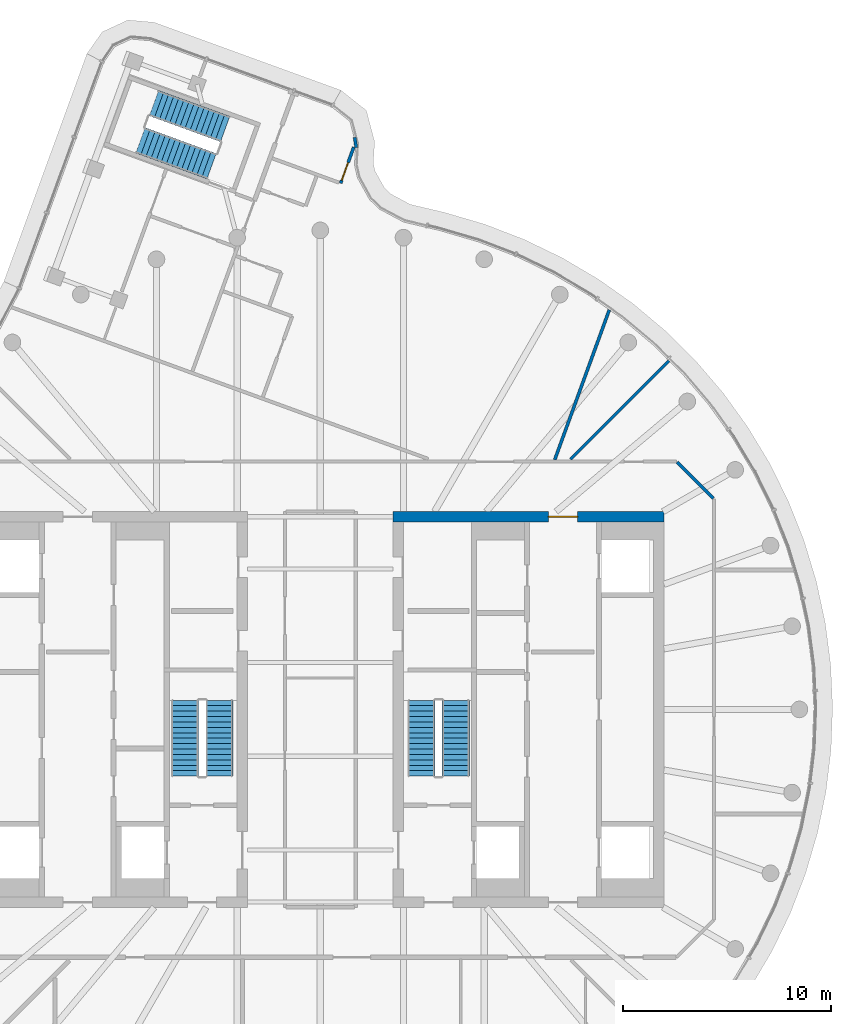
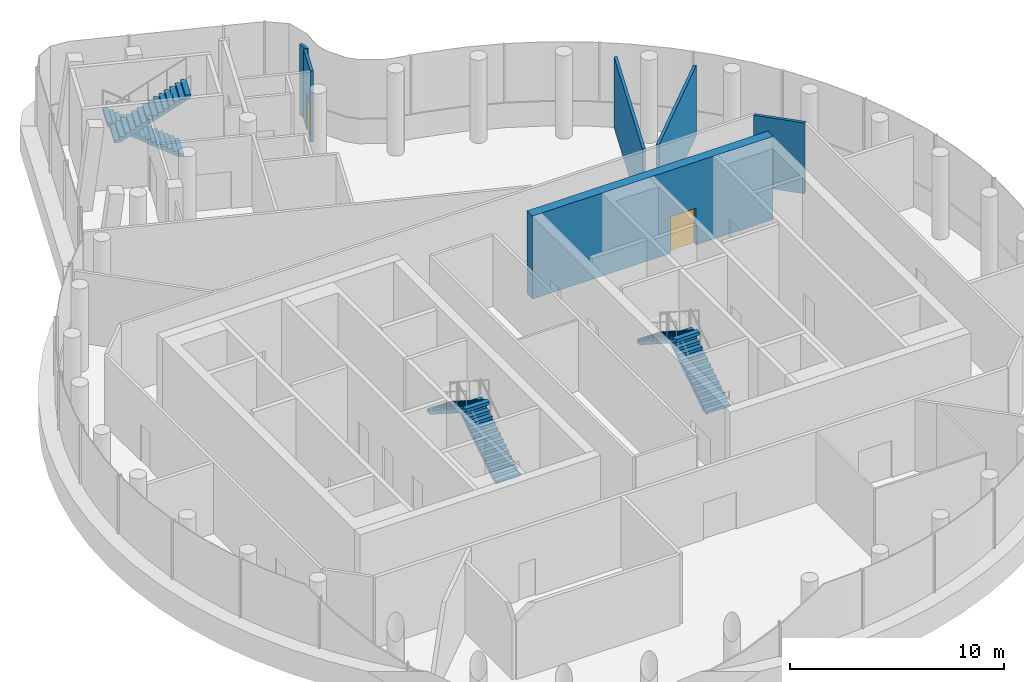
# One storey, part 11 of 12: 6 stair flights, 6 walls, 2 doors, 2 openings, 3 elements without a shape of their own.
"""IFC4 building model written with IfcOpenShell, lengths in metres."""

import ifcopenshell
import ifcopenshell.guid

model = None  # the IFC model being written
_history = None  # IfcOwnerHistory: only IFC2X3 demands one
_inside = {}  # id of a spatial element -> (the spatial element, [elements in it])
_under = {}  # id of a project, library or spatial element -> (it, [spatial elements below it])
_declared = {}  # id of a project -> (the project, [libraries it declares])
_typed = {}  # id of a type object -> (the type object, [elements of that type])
_made_of = {}  # id of a material, layer set ... -> (it, [elements and type objects made of it])


def new_model(schema):
    """Start an empty IFC model of exactly this schema.

    Asked for "IFC4X3", IfcOpenShell would pick the latest addendum, in which some entities
    have other attributes; the version numbers below select the first issue.
    IFC2X3 requires an IfcOwnerHistory on every rooted entity: one is made here for all.
    """
    global model, _history
    if schema == "IFC4X3":
        model = ifcopenshell.file(schema_version=(4, 3, 0, 0))
    else:
        model = ifcopenshell.file(schema=schema)
    _inside.clear()
    _under.clear()
    _declared.clear()
    _typed.clear()
    _made_of.clear()
    _history = None
    if model.schema == "IFC2X3":
        org = make("IfcOrganization", Name="unknown")
        user = make(
            "IfcPersonAndOrganization",
            ThePerson=make("IfcPerson", FamilyName="unknown"),
            TheOrganization=org,
        )
        app = make(
            "IfcApplication",
            ApplicationDeveloper=org,
            Version="unknown",
            ApplicationFullName="unknown",
            ApplicationIdentifier="unknown",
        )
        _history = make(
            "IfcOwnerHistory",
            OwningUser=user,
            OwningApplication=app,
            ChangeAction="ADDED",
            CreationDate=0,
        )
    return model


def make(cls, **values):
    """One entity of the class cls with the attributes given. An attribute that is None is left unset."""
    return model.create_entity(
        cls, **{name: value for name, value in values.items() if value is not None}
    )


def rooted(cls, **values):
    """An entity with a GlobalId (a new one), such as an element, a storey or a relation."""
    return make(cls, GlobalId=ifcopenshell.guid.new(), OwnerHistory=_history, **values)


def si_unit(unit_type, name, prefix=None):
    """IfcSIUnit, for example si_unit("LENGTHUNIT", "METRE", prefix="MILLI")."""
    return make("IfcSIUnit", UnitType=unit_type, Prefix=prefix, Name=name)


def assignment(units):
    """IfcUnitAssignment: the units of a project."""
    return None if units is None else make("IfcUnitAssignment", Units=units)


def point(xyz):
    """IfcCartesianPoint."""
    return None if xyz is None else make("IfcCartesianPoint", Coordinates=xyz)


def direction(xyz):
    """IfcDirection."""
    return None if xyz is None else make("IfcDirection", DirectionRatios=xyz)


def frame(location, z_axis=None, x_axis=None):
    """IfcAxis2Placement3D, a coordinate frame: its origin and axes. An axis left out is left unset."""
    return make(
        "IfcAxis2Placement3D",
        Location=point(location),
        Axis=direction(z_axis),
        RefDirection=direction(x_axis),
    )


def frame_2d(location, x_axis=None):
    """IfcAxis2Placement2D, a coordinate frame in the plane: its origin and x axis."""
    return make(
        "IfcAxis2Placement2D", Location=point(location), RefDirection=direction(x_axis)
    )


def origin():
    """The frame at (0, 0, 0) with its axes left unset."""
    return frame((0.0, 0.0, 0.0))


def place(relative_to, where):
    """IfcLocalPlacement: puts the frame where relative to a parent placement (None: the world)."""
    return make(
        "IfcLocalPlacement", PlacementRelTo=relative_to, RelativePlacement=where
    )


def context(
    kind, dimensions, precision=None, world=None, true_north=None, identifier=None
):
    """IfcGeometricRepresentationContext, for example the 3D "Model" context."""
    return make(
        "IfcGeometricRepresentationContext",
        ContextIdentifier=identifier,
        ContextType=kind,
        CoordinateSpaceDimension=dimensions,
        Precision=precision,
        WorldCoordinateSystem=world,
        TrueNorth=true_north,
    )


def subcontext(parent, identifier, kind, view, scale=None):
    """IfcGeometricRepresentationSubContext, for example "Body" below "Model"."""
    return make(
        "IfcGeometricRepresentationSubContext",
        ContextIdentifier=identifier,
        ContextType=kind,
        ParentContext=parent,
        TargetScale=scale,
        TargetView=view,
    )


def project(units=None, contexts=None):
    """IfcProject with its units and contexts."""
    return rooted(
        "IfcProject",
        Name="project",
        RepresentationContexts=contexts,
        UnitsInContext=assignment(units),
    )


def spatial(cls, under=None, at=None, **own):
    """A site, building, storey or space (cls), placed at a placement, below another one or the project."""
    s = rooted(cls, ObjectPlacement=at, **own)
    if under is not None:
        _under.setdefault(under.id(), (under, []))[1].append(s)
    return s


def polyline(points):
    """IfcPolyline through the points."""
    return make("IfcPolyline", Points=[point(p) for p in points])


def profile(cls, at=None, kind="AREA", **sizes):
    """A parametric profile (cls). Its sizes go by their IFC names, for example OverallWidth=200.0."""
    return make(cls, ProfileType=kind, Position=at, **sizes)


def rectangle(**sizes):
    """IfcRectangleProfileDef."""
    return profile("IfcRectangleProfileDef", **sizes)


def outline(outer, holes=None, kind="AREA"):
    """IfcArbitraryClosedProfileDef: a profile drawn as a closed curve; with holes, ...WithVoids."""
    if holes is None:
        return make("IfcArbitraryClosedProfileDef", ProfileType=kind, OuterCurve=outer)
    return make(
        "IfcArbitraryProfileDefWithVoids",
        ProfileType=kind,
        OuterCurve=outer,
        InnerCurves=holes,
    )


def extrude(swept, where, along, depth):
    """IfcExtrudedAreaSolid: the profile swept, set in the frame where, extruded along a direction by depth."""
    return make(
        "IfcExtrudedAreaSolid",
        SweptArea=swept,
        Position=where,
        ExtrudedDirection=direction(along),
        Depth=depth,
    )


def shape(context_of_items, identifier, shape_type, items):
    """IfcShapeRepresentation: the items that make up one representation, for example the "Body"."""
    return make(
        "IfcShapeRepresentation",
        ContextOfItems=context_of_items,
        RepresentationIdentifier=identifier,
        RepresentationType=shape_type,
        Items=items,
    )


def material(Name=None, Category=None):
    """IfcMaterial."""
    return make("IfcMaterial", Name=Name, Category=Category)


def layer(
    of_material, thickness, ventilated=None, Name=None, Category=None, Priority=None
):
    """IfcMaterialLayer: one layer of a wall or slab, of a material (None: an air gap)."""
    return make(
        "IfcMaterialLayer",
        Material=of_material,
        LayerThickness=thickness,
        IsVentilated=ventilated,
        Name=Name,
        Category=Category,
        Priority=Priority,
    )


def layer_set(layers, Name=None):
    """IfcMaterialLayerSet."""
    return make("IfcMaterialLayerSet", MaterialLayers=layers, LayerSetName=Name)


def made_of(thing, what):
    """Note that an element or type object is made of a material, layer set ...; save() writes the relation."""
    if what is not None:
        _made_of.setdefault(what.id(), (what, []))[1].append(thing)
    return thing


def type_object(cls, material=None, **own):
    """A type object (cls), such as IfcWallType, which elements share."""
    return made_of(rooted(cls, **own), material)


def element(
    cls,
    number,
    at=None,
    inside=None,
    cuts=None,
    type_object=None,
    material=None,
    context=None,
    identifier="Body",
    shape_type=None,
    held_by="IfcProductDefinitionShape",
    body=None,
    shapes=None,
    **own,
):
    """One element of the class cls, such as IfcWall. Its Tag is "e" and its number.

    at: its placement. inside: the storey or other place that contains it. cuts: it is an
    opening in that element (IfcRelVoidsElement). A single representation is given by context,
    identifier, shape_type and body (its items); several are given by shapes. held_by: the class
    of the entity that holds the representations. save() writes the other relations.
    """
    e = rooted(cls, Tag="e%d" % number, ObjectPlacement=at, **own)
    if body is not None:
        shapes = [shape(context, identifier, shape_type, body)]
    if shapes is not None:
        e.Representation = make(held_by, Representations=shapes)
    if inside is not None:
        _inside.setdefault(inside.id(), (inside, []))[1].append(e)
    if cuts is not None:
        rooted(
            "IfcRelVoidsElement", RelatingBuildingElement=cuts, RelatedOpeningElement=e
        )
    if type_object is not None:
        _typed.setdefault(type_object.id(), (type_object, []))[1].append(e)
    return made_of(e, material)


def fill(opening, filler):
    """IfcRelFillsElement: the door or window that sits in an opening."""
    return rooted(
        "IfcRelFillsElement",
        RelatingOpeningElement=opening,
        RelatedBuildingElement=filler,
    )


def aggregate(whole, parts):
    """IfcRelAggregates: a whole, such as a stair, and the parts it consists of."""
    return rooted("IfcRelAggregates", RelatingObject=whole, RelatedObjects=parts)


def save(model, path):
    """Write the relations noted so far, then the file.

    IfcRelAggregates (storeys below a building ...), IfcRelContainedInSpatialStructure (elements
    in a storey), IfcRelDefinesByType, IfcRelAssociatesMaterial and IfcRelDeclares: one each for
    every whole, place, type object, material and project.
    """
    for whole, parts in _under.values():
        aggregate(whole, parts)
    for where, things in _inside.values():
        rooted(
            "IfcRelContainedInSpatialStructure",
            RelatedElements=things,
            RelatingStructure=where,
        )
    for kind, things in _typed.values():
        rooted("IfcRelDefinesByType", RelatedObjects=things, RelatingType=kind)
    for what, things in _made_of.values():
        rooted("IfcRelAssociatesMaterial", RelatedObjects=things, RelatingMaterial=what)
    for by, libraries in _declared.values():
        rooted("IfcRelDeclares", RelatingContext=by, RelatedDefinitions=libraries)
    model.write(path)


model = new_model("IFC4")

# Units and contexts
model_context = context("Model", 3, precision=1e-05, world=origin(), true_north=direction((0.0, 1.0)))
body_context = subcontext(model_context, "Body", "Model", "MODEL_VIEW")
ifc_project = project(units=[si_unit("LENGTHUNIT", "METRE"), si_unit("AREAUNIT", "SQUARE_METRE"), si_unit("VOLUMEUNIT", "CUBIC_METRE"), si_unit("PLANEANGLEUNIT", "RADIAN"), si_unit("MASSUNIT", "GRAM", prefix="KILO")], contexts=[model_context])

# Site, building, storey
site_placement = place(None, origin())
site = spatial("IfcSite", under=ifc_project, at=site_placement, CompositionType="ELEMENT")
building_placement = place(site_placement, origin())
building = spatial("IfcBuilding", under=site, at=building_placement, Name="Tamarind Cross Interchange Tower", CompositionType="ELEMENT")
storey_placement = place(building_placement, frame((0.0, 0.0, 294.39990234375)))
storey = spatial("IfcBuildingStorey", under=building, at=storey_placement, Name="L73", CompositionType="ELEMENT", Elevation=294.39990234375)

# Wall, opening, door
ifc_material_1 = material(Name="Concrete C50", Category="concrete")
ifc_layer_1 = layer(ifc_material_1, 0.5)
ifc_layer_set_1 = layer_set([ifc_layer_1], Name="Concrete C50")
wall_type_1 = type_object("IfcWallType", Name="Core wall 500 mm Concrete C50", PredefinedType="SHEAR", material=ifc_layer_set_1)
wall_1_placement = place(storey_placement, frame((16.5, 9.25, 0.0), z_axis=(0.0, 0.0, 1.0), x_axis=(-1.0, 0.0, 0.0)))
wall_1 = element("IfcWall", 1, at=wall_1_placement, inside=storey, type_object=wall_type_1, Name="Core wall CWL-L73-E-N", PredefinedType="SHEAR", context=body_context, shape_type="SweptSolid", body=[
    extrude(rectangle(XDim=13.0, YDim=0.5, at=frame_2d((6.5, 0.0))), origin(), (0.0, 0.0, 1.0), 4.75),
])
opening_1_placement = place(wall_1_placement, frame((4.14990234375, 0.0, 0.0)))
opening_1 = element("IfcOpeningElement", 2, at=opening_1_placement, cuts=wall_1, Name="Opening DCE3", PredefinedType="OPENING", context=body_context, shape_type="SweptSolid", body=[
    extrude(rectangle(XDim=1.39990234375, YDim=2.10009765625, at=frame_2d((0.699951171875, 1.050048828125))), frame((0.0, 0.260009765625, 0.0), z_axis=(0.0, -1.0, 0.0), x_axis=(1.0, 0.0, 0.0)), (0.0, 0.0, 1.0), 0.52001953125),
])
ifc_material_2 = material(Name="Steel, fire-resisting", Category="steel")
door_type_1 = type_object("IfcDoorType", Name="Core fire door 1400 x 2100 FD90", OperationType="SINGLE_SWING_LEFT", PredefinedType="DOOR", material=ifc_material_2)
door_1_placement = place(opening_1_placement, origin())
door_1 = element("IfcDoor", 3, at=door_1_placement, inside=storey, type_object=door_type_1, Name="L73 observation lobby door", OperationType="SINGLE_SWING_LEFT", OverallHeight=2.10009765625, OverallWidth=1.39990234375, PredefinedType="DOOR", context=body_context, shape_type="SweptSolid", body=[
    extrude(rectangle(XDim=1.39990234375, YDim=2.10009765625, at=frame_2d((0.699951171875, 1.050048828125))), frame((0.0, 0.02490234375, 0.0), z_axis=(0.0, -1.0, 0.0), x_axis=(1.0, 0.0, 0.0)), (0.0, 0.0, 1.0), 0.050048828125),
])
fill(opening_1, door_1)

# Walls
ifc_material_3 = material(Name="Gypsum board partition on steel studs", Category="steel")
ifc_layer_2 = layer(ifc_material_3, 0.14990234375)
ifc_layer_set_2 = layer_set([ifc_layer_2], Name="Gypsum board partition on steel studs")
wall_type_2 = type_object("IfcWallType", Name="Partition 150 mm EI 120", PredefinedType="PARTITIONING", material=ifc_layer_set_2)
wall_2_placement = place(storey_placement, frame((17.12841796875, 11.87158203125, 0.0), z_axis=(0.0, 0.0, 1.0), x_axis=(0.707106781187, -0.707106781187, 0.0)))
element("IfcWall", 4, at=wall_2_placement, inside=storey, type_object=wall_type_2, Name="Partition L73-004", PredefinedType="PARTITIONING", context=body_context, shape_type="SweptSolid", body=[
    extrude(rectangle(XDim=2.465087890625, YDim=0.14990234375, at=frame_2d((1.232421875, 0.0))), origin(), (0.0, 0.0, 1.0), 4.050048828125),
])
wall_3_placement = place(storey_placement, frame((12.009521484375, 12.009521484375, 0.0), z_axis=(0.0, 0.0, 1.0), x_axis=(0.707106781187, 0.707106781187, 0.0)))
element("IfcWall", 5, at=wall_3_placement, inside=storey, type_object=wall_type_2, Name="Partition L73-025", PredefinedType="PARTITIONING", context=body_context, shape_type="SweptSolid", body=[
    extrude(rectangle(XDim=6.690673828125, YDim=0.14990234375, at=frame_2d((3.34521484375, 0.0))), origin(), (0.0, 0.0, 1.0), 4.050048828125),
])

# Wall, opening, door
wall_4_placement = place(storey_placement, frame((0.974609375, 25.26318359375, 0.0), z_axis=(0.0, 0.0, 1.0), x_axis=(0.341881428649, 0.939743097205, 0.0)))
wall_4 = element("IfcWall", 6, at=wall_4_placement, inside=storey, type_object=wall_type_2, Name="Partition L73-033", PredefinedType="PARTITIONING", context=body_context, shape_type="SweptSolid", body=[
    extrude(rectangle(XDim=1.841796875, YDim=0.14990234375, at=frame_2d((0.9208984375, 0.0))), origin(), (0.0, 0.0, 1.0), 4.050048828125),
])
opening_2_placement = place(wall_4_placement, frame((0.14990234375, 0.0, 0.0)))
opening_2 = element("IfcOpeningElement", 7, at=opening_2_placement, cuts=wall_4, Name="Opening D15", PredefinedType="OPENING", context=body_context, shape_type="SweptSolid", body=[
    extrude(rectangle(XDim=0.89990234375, YDim=2.10009765625, at=frame_2d((0.449951171875, 1.050048828125))), frame((0.0, 0.0849609375, 0.0), z_axis=(0.0, -1.0, 0.0), x_axis=(1.0, 0.0, 0.0)), (0.0, 0.0, 1.0), 0.169921875),
])
ifc_material_4 = material(Name="Fire-resisting door set")
door_type_2 = type_object("IfcDoorType", Name="Interior door 900 x 2100 FD60S", OperationType="SINGLE_SWING_LEFT", PredefinedType="DOOR", material=ifc_material_4)
door_2_placement = place(opening_2_placement, origin())
door_2 = element("IfcDoor", 8, at=door_2_placement, inside=storey, type_object=door_type_2, Name="Door D15", OperationType="SINGLE_SWING_RIGHT", OverallHeight=2.10009765625, OverallWidth=0.89990234375, PredefinedType="DOOR", context=body_context, shape_type="SweptSolid", body=[
    extrude(rectangle(XDim=0.89990234375, YDim=2.10009765625, at=frame_2d((0.449951171875, 1.050048828125))), frame((0.0, 0.02490234375, 0.0), z_axis=(0.0, -1.0, 0.0), x_axis=(1.0, 0.0, 0.0)), (0.0, 0.0, 1.0), 0.050048828125),
])
fill(opening_2, door_2)

# Walls
wall_5_placement = place(storey_placement, frame((11.25390625, 11.984619140625, 0.0), z_axis=(0.0, 0.0, 1.0), x_axis=(0.341891443356, 0.939739453764, 0.0)))
element("IfcWall", 9, at=wall_5_placement, inside=storey, type_object=wall_type_2, Name="Partition L73-036", PredefinedType="PARTITIONING", context=body_context, shape_type="SweptSolid", body=[
    extrude(rectangle(XDim=7.662109375, YDim=0.14990234375, at=frame_2d((3.8310546875, 0.0))), origin(), (0.0, 0.0, 1.0), 4.050048828125),
])
wall_6_placement = place(storey_placement, frame((1.72509765625, 26.972412109375, 0.0), z_axis=(0.0, 0.0, 1.0), x_axis=(-0.155285488936, 0.987869635593, 0.0)))
element("IfcWall", 10, at=wall_6_placement, inside=storey, type_object=wall_type_2, Name="Partition L73-045", PredefinedType="PARTITIONING", context=body_context, shape_type="SweptSolid", body=[
    extrude(rectangle(XDim=0.5, YDim=0.14990234375, at=frame_2d((0.25, 0.0))), origin(), (0.0, 0.0, 1.0), 4.050048828125),
])

# Stair, stair flights
ifc_material_5 = material(Name="Exit stair")
stair_type = type_object("IfcStairType", Name="Exit stair", PredefinedType="HALF_TURN_STAIR", material=ifc_material_5)
stair_1_placement = place(storey_placement, origin())
stair_1 = element("IfcStair", 11, at=stair_1_placement, inside=storey, type_object=stair_type, Name="L73 exit stair ST1", PredefinedType="HALF_TURN_STAIR")
ifc_material_6 = material(Name="Exit stair flight")
stair_flight_type = type_object("IfcStairFlightType", Name="Exit stair flight", PredefinedType="STRAIGHT", material=ifc_material_6)
stair_flight_1_placement = place(storey_placement, frame((-4.85009765625, -3.199951171875, 0.0), z_axis=(0.0, 0.0, 1.0), x_axis=(0.0, 1.0, 0.0)))
stair_flight_1 = element("IfcStairFlight", 12, at=stair_flight_1_placement, type_object=stair_flight_type, Name="ST1 flight 1", NumberOfRisers=15, NumberOfTreads=14, PredefinedType="STRAIGHT", RiserHeight=0.166666667, TreadLength=0.26, context=body_context, shape_type="SweptSolid", body=[
    extrude(outline(polyline([(0.0, 0.0), (0.0, 0.166748046875), (0.260009765625, 0.166748046875), (0.260009765625, 0.333251953125), (0.52001953125, 0.333251953125), (0.52001953125, 0.5), (0.780029296875, 0.5), (0.780029296875, 0.666748046875), (1.0400390625, 0.666748046875), (1.0400390625, 0.833251953125), (1.300048828125, 0.833251953125), (1.300048828125, 1.0), (1.56005859375, 1.0), (1.56005859375, 1.166748046875), (1.820068359375, 1.166748046875), (1.820068359375, 1.333251953125), (2.080078125, 1.333251953125), (2.080078125, 1.5), (2.340087890625, 1.5), (2.340087890625, 1.666748046875), (2.60009765625, 1.666748046875), (2.60009765625, 1.833251953125), (2.860107421875, 1.833251953125), (2.860107421875, 2.0), (3.1201171875, 2.0), (3.1201171875, 2.166748046875), (3.3798828125, 2.166748046875), (3.3798828125, 2.333251953125), (3.639892578125, 2.333251953125), (3.639892578125, 2.5), (3.639892578125, 2.1552734375), (0.27783203125, 0.0), (0.0, 0.0)])), frame((0.0, 0.64990234375, 0.0), z_axis=(0.0, -1.0, 0.0), x_axis=(1.0, 0.0, 0.0)), (0.0, 0.0, 1.0), 1.300048828125),
])
stair_flight_2_placement = place(storey_placement, frame((-6.5, 0.43994140625, 2.5), z_axis=(0.0, 0.0, 1.0), x_axis=(0.0, -1.0, 0.0)))
stair_flight_2 = element("IfcStairFlight", 13, at=stair_flight_2_placement, type_object=stair_flight_type, Name="ST1 flight 2", NumberOfRisers=15, NumberOfTreads=14, PredefinedType="STRAIGHT", RiserHeight=0.166666667, TreadLength=0.26, context=body_context, shape_type="SweptSolid", body=[
    extrude(outline(polyline([(0.0, 0.0), (0.0, 0.166748046875), (0.260009765625, 0.166748046875), (0.260009765625, 0.333251953125), (0.52001953125, 0.333251953125), (0.52001953125, 0.5), (0.780029296875, 0.5), (0.780029296875, 0.666748046875), (1.0400390625, 0.666748046875), (1.0400390625, 0.833251953125), (1.300048828125, 0.833251953125), (1.300048828125, 1.0), (1.56005859375, 1.0), (1.56005859375, 1.166748046875), (1.820068359375, 1.166748046875), (1.820068359375, 1.333251953125), (2.080078125, 1.333251953125), (2.080078125, 1.5), (2.340087890625, 1.5), (2.340087890625, 1.666748046875), (2.60009765625, 1.666748046875), (2.60009765625, 1.833251953125), (2.860107421875, 1.833251953125), (2.860107421875, 2.0), (3.1201171875, 2.0), (3.1201171875, 2.166748046875), (3.3798828125, 2.166748046875), (3.3798828125, 2.333251953125), (3.639892578125, 2.333251953125), (3.639892578125, 2.5), (3.639892578125, 2.1552734375), (0.27783203125, 0.0), (0.0, 0.0)])), frame((0.0, 0.64990234375, 0.0), z_axis=(0.0, -1.0, 0.0), x_axis=(1.0, 0.0, 0.0)), (0.0, 0.0, 1.0), 1.300048828125),
])
aggregate(stair_1, [stair_flight_1, stair_flight_2])

stair_2_placement = place(storey_placement, origin())
stair_2 = element("IfcStair", 14, at=stair_2_placement, inside=storey, type_object=stair_type, Name="L73 exit stair ST2", PredefinedType="HALF_TURN_STAIR")
stair_flight_3_placement = place(storey_placement, frame((6.5, -3.199951171875, 0.0), z_axis=(0.0, 0.0, 1.0), x_axis=(0.0, 1.0, 0.0)))
stair_flight_3 = element("IfcStairFlight", 15, at=stair_flight_3_placement, type_object=stair_flight_type, Name="ST2 flight 1", NumberOfRisers=15, NumberOfTreads=14, PredefinedType="STRAIGHT", RiserHeight=0.166666667, TreadLength=0.26, context=body_context, shape_type="SweptSolid", body=[
    extrude(outline(polyline([(0.0, 0.0), (0.0, 0.166748046875), (0.260009765625, 0.166748046875), (0.260009765625, 0.333251953125), (0.52001953125, 0.333251953125), (0.52001953125, 0.5), (0.780029296875, 0.5), (0.780029296875, 0.666748046875), (1.0400390625, 0.666748046875), (1.0400390625, 0.833251953125), (1.300048828125, 0.833251953125), (1.300048828125, 1.0), (1.56005859375, 1.0), (1.56005859375, 1.166748046875), (1.820068359375, 1.166748046875), (1.820068359375, 1.333251953125), (2.080078125, 1.333251953125), (2.080078125, 1.5), (2.340087890625, 1.5), (2.340087890625, 1.666748046875), (2.60009765625, 1.666748046875), (2.60009765625, 1.833251953125), (2.860107421875, 1.833251953125), (2.860107421875, 2.0), (3.1201171875, 2.0), (3.1201171875, 2.166748046875), (3.3798828125, 2.166748046875), (3.3798828125, 2.333251953125), (3.639892578125, 2.333251953125), (3.639892578125, 2.5), (3.639892578125, 2.1552734375), (0.27783203125, 0.0), (0.0, 0.0)])), frame((0.0, 0.64990234375, 0.0), z_axis=(0.0, -1.0, 0.0), x_axis=(1.0, 0.0, 0.0)), (0.0, 0.0, 1.0), 1.300048828125),
])
stair_flight_4_placement = place(storey_placement, frame((4.85009765625, 0.43994140625, 2.5), z_axis=(0.0, 0.0, 1.0), x_axis=(0.0, -1.0, 0.0)))
stair_flight_4 = element("IfcStairFlight", 16, at=stair_flight_4_placement, type_object=stair_flight_type, Name="ST2 flight 2", NumberOfRisers=15, NumberOfTreads=14, PredefinedType="STRAIGHT", RiserHeight=0.166666667, TreadLength=0.26, context=body_context, shape_type="SweptSolid", body=[
    extrude(outline(polyline([(0.0, 0.0), (0.0, 0.166748046875), (0.260009765625, 0.166748046875), (0.260009765625, 0.333251953125), (0.52001953125, 0.333251953125), (0.52001953125, 0.5), (0.780029296875, 0.5), (0.780029296875, 0.666748046875), (1.0400390625, 0.666748046875), (1.0400390625, 0.833251953125), (1.300048828125, 0.833251953125), (1.300048828125, 1.0), (1.56005859375, 1.0), (1.56005859375, 1.166748046875), (1.820068359375, 1.166748046875), (1.820068359375, 1.333251953125), (2.080078125, 1.333251953125), (2.080078125, 1.5), (2.340087890625, 1.5), (2.340087890625, 1.666748046875), (2.60009765625, 1.666748046875), (2.60009765625, 1.833251953125), (2.860107421875, 1.833251953125), (2.860107421875, 2.0), (3.1201171875, 2.0), (3.1201171875, 2.166748046875), (3.3798828125, 2.166748046875), (3.3798828125, 2.333251953125), (3.639892578125, 2.333251953125), (3.639892578125, 2.5), (3.639892578125, 2.1552734375), (0.27783203125, 0.0), (0.0, 0.0)])), frame((0.0, 0.64990234375, 0.0), z_axis=(0.0, -1.0, 0.0), x_axis=(1.0, 0.0, 0.0)), (0.0, 0.0, 1.0), 1.300048828125),
])
aggregate(stair_2, [stair_flight_3, stair_flight_4])

stair_3_placement = place(storey_placement, origin())
stair_3 = element("IfcStair", 17, at=stair_3_placement, inside=storey, type_object=stair_type, Name="L73 exit stair ST4", PredefinedType="HALF_TURN_STAIR")
stair_flight_5_placement = place(storey_placement, frame((-4.5693359375, 27.866455078125, 0.0), z_axis=(0.0, 0.0, 1.0), x_axis=(-0.939702171424, 0.341993902024, 0.0)))
stair_flight_5 = element("IfcStairFlight", 18, at=stair_flight_5_placement, type_object=stair_flight_type, Name="ST4 flight 1", NumberOfRisers=15, NumberOfTreads=14, PredefinedType="STRAIGHT", RiserHeight=0.166666667, TreadLength=0.26, context=body_context, shape_type="SweptSolid", body=[
    extrude(outline(polyline([(0.0, 0.0), (0.0, 0.166748046875), (0.260009765625, 0.166748046875), (0.260009765625, 0.333251953125), (0.52001953125, 0.333251953125), (0.52001953125, 0.5), (0.780029296875, 0.5), (0.780029296875, 0.666748046875), (1.0400390625, 0.666748046875), (1.0400390625, 0.833251953125), (1.300048828125, 0.833251953125), (1.300048828125, 1.0), (1.56005859375, 1.0), (1.56005859375, 1.166748046875), (1.820068359375, 1.166748046875), (1.820068359375, 1.333251953125), (2.080078125, 1.333251953125), (2.080078125, 1.5), (2.340087890625, 1.5), (2.340087890625, 1.666748046875), (2.60009765625, 1.666748046875), (2.60009765625, 1.833251953125), (2.860107421875, 1.833251953125), (2.860107421875, 2.0), (3.1201171875, 2.0), (3.1201171875, 2.166748046875), (3.3798828125, 2.166748046875), (3.3798828125, 2.333251953125), (3.639892578125, 2.333251953125), (3.639892578125, 2.5), (3.639892578125, 2.1552734375), (0.27783203125, 0.0), (0.0, 0.0)])), frame((0.0, 0.64990234375, 0.0), z_axis=(0.0, -1.0, 0.0), x_axis=(1.0, 0.0, 0.0)), (0.0, 0.0, 1.0), 1.300048828125),
])
stair_flight_6_placement = place(storey_placement, frame((-8.6396484375, 27.325927734375, 2.5), z_axis=(0.0, 0.0, 1.0), x_axis=(0.939702171424, -0.341993902024, 0.0)))
stair_flight_6 = element("IfcStairFlight", 19, at=stair_flight_6_placement, type_object=stair_flight_type, Name="ST4 flight 2", NumberOfRisers=15, NumberOfTreads=14, PredefinedType="STRAIGHT", RiserHeight=0.166666667, TreadLength=0.26, context=body_context, shape_type="SweptSolid", body=[
    extrude(outline(polyline([(0.0, 0.0), (0.0, 0.166748046875), (0.260009765625, 0.166748046875), (0.260009765625, 0.333251953125), (0.52001953125, 0.333251953125), (0.52001953125, 0.5), (0.780029296875, 0.5), (0.780029296875, 0.666748046875), (1.0400390625, 0.666748046875), (1.0400390625, 0.833251953125), (1.300048828125, 0.833251953125), (1.300048828125, 1.0), (1.56005859375, 1.0), (1.56005859375, 1.166748046875), (1.820068359375, 1.166748046875), (1.820068359375, 1.333251953125), (2.080078125, 1.333251953125), (2.080078125, 1.5), (2.340087890625, 1.5), (2.340087890625, 1.666748046875), (2.60009765625, 1.666748046875), (2.60009765625, 1.833251953125), (2.860107421875, 1.833251953125), (2.860107421875, 2.0), (3.1201171875, 2.0), (3.1201171875, 2.166748046875), (3.3798828125, 2.166748046875), (3.3798828125, 2.333251953125), (3.639892578125, 2.333251953125), (3.639892578125, 2.5), (3.639892578125, 2.1552734375), (0.27783203125, 0.0), (0.0, 0.0)])), frame((0.0, 0.64990234375, 0.0), z_axis=(0.0, -1.0, 0.0), x_axis=(1.0, 0.0, 0.0)), (0.0, 0.0, 1.0), 1.300048828125),
])
aggregate(stair_3, [stair_flight_5, stair_flight_6])

save(model, "model.ifc")
